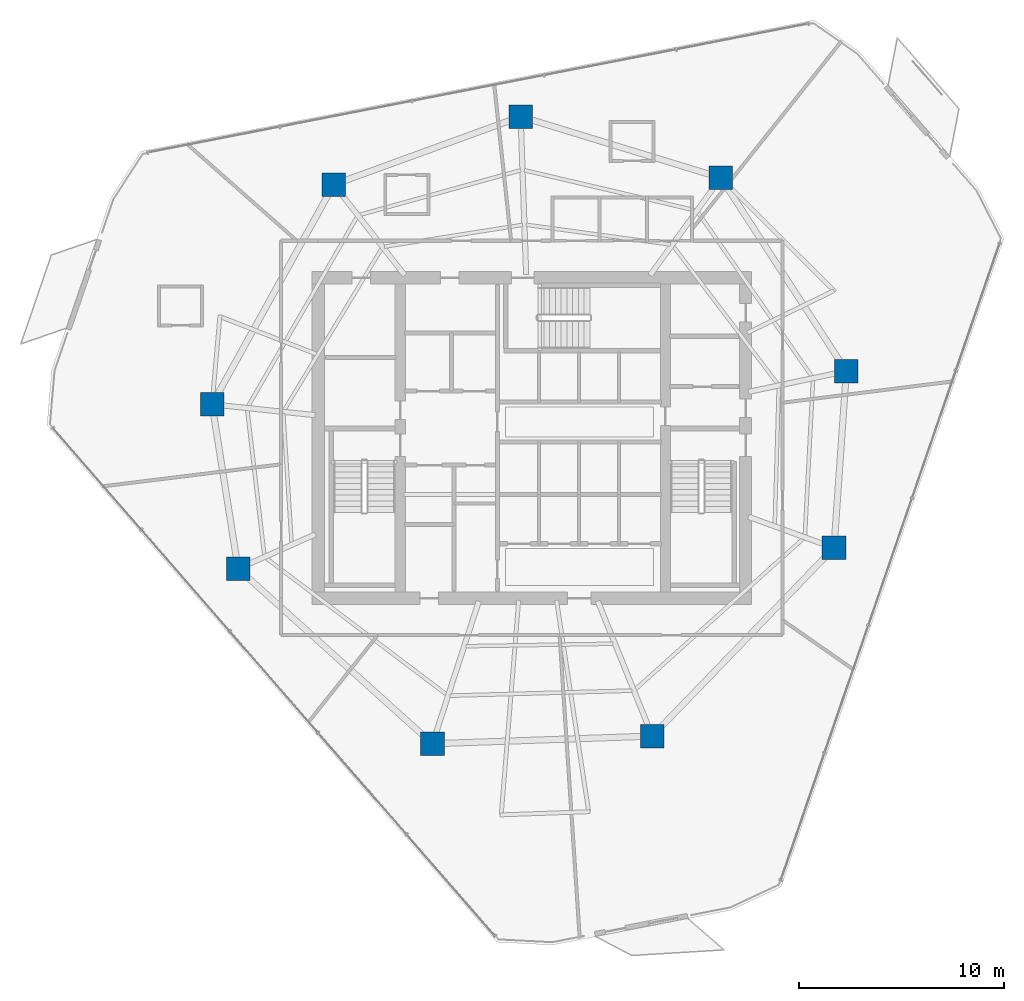
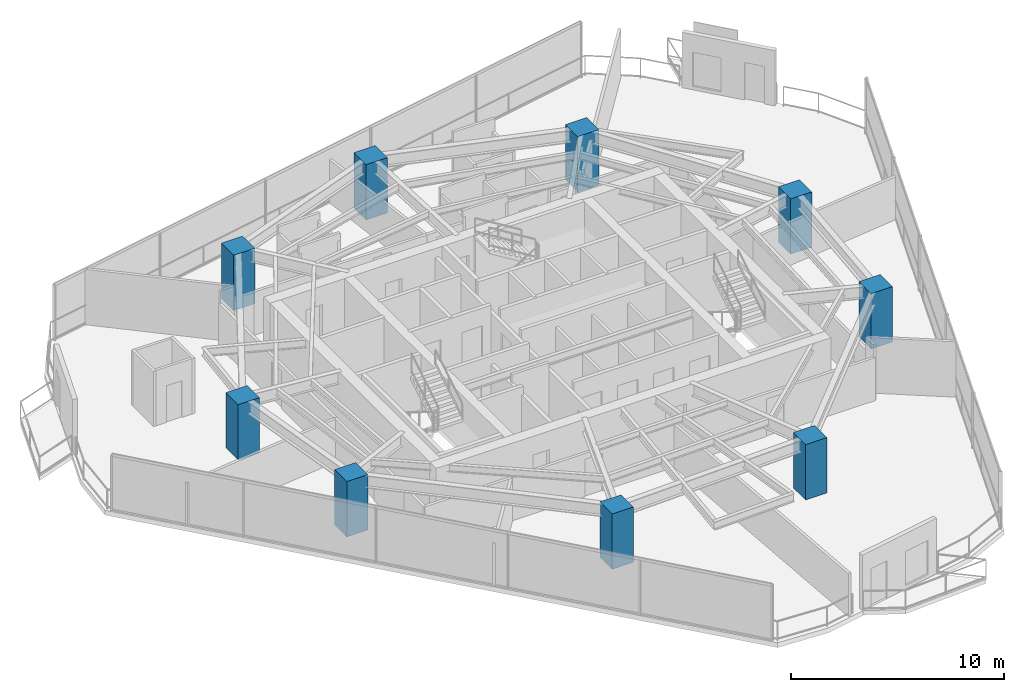
# One storey, part 1 of 27: 9 columns.
"""IFC4 building model written with IfcOpenShell, lengths in metres."""

from ifc_helpers import new_model, si_unit, direction, frame, origin, origin_2d, place, context, subcontext, project, spatial, rectangle, extrude, material, material_profile, profile_set, type_object, element, save


model = new_model("IFC4")

# Units and contexts
model_context = context("Model", 3, precision=1e-05, world=origin(), true_north=direction((0.0, 1.0)))
body_context = subcontext(model_context, "Body", "Model", "MODEL_VIEW")
ifc_project = project(units=[si_unit("LENGTHUNIT", "METRE"), si_unit("AREAUNIT", "SQUARE_METRE"), si_unit("VOLUMEUNIT", "CUBIC_METRE"), si_unit("PLANEANGLEUNIT", "RADIAN"), si_unit("MASSUNIT", "GRAM", prefix="KILO")], contexts=[model_context])

# Site, building, storey
site_placement = place(None, origin())
site = spatial("IfcSite", under=ifc_project, at=site_placement, CompositionType="ELEMENT")
building_placement = place(site_placement, origin())
building = spatial("IfcBuilding", under=site, at=building_placement, Name="Qarnah Convention Tower", CompositionType="ELEMENT")
storey_placement = place(building_placement, frame((0.0, 0.0, 107.39990234375)))
storey = spatial("IfcBuildingStorey", under=building, at=storey_placement, Name="L28", CompositionType="ELEMENT", Elevation=107.39990234375)

# Columns
ifc_material = material(Name="Concrete C60/75", Category="concrete")
ifc_material_profile = material_profile(ifc_material, rectangle(XDim=1.14990234375, YDim=1.14990234375, at=origin_2d()), Name="RC-COL-1150X1150")
ifc_profile_set = profile_set([ifc_material_profile], Name="Concrete C60/75")
column_type = type_object("IfcColumnType", Name="COL-Z2-1150", PredefinedType="COLUMN", material=ifc_profile_set)
for number, where, z_axis, x_axis, name in (
    (1, (52.508056640625, 29.654052734375, 0.0), (0.0, 0.0, 1.0), (1.0, 0.0, 0.0), "L28 plumb column PC-Z2-01"),
    (2, (46.39892578125, 39.06103515625, 0.0), (0.0, 0.0, 1.0), (1.0, 0.0, 0.0), "L28 plumb column PC-Z2-02"),
    (3, (36.654052734375, 42.0400390625, 0.0), (0.0, 0.0, 1.0), (1.0, 0.0, 0.0), "L28 plumb column PC-Z2-03"),
    (4, (27.56494140625, 38.73193359375, 0.0), (0.0, 0.0, 1.0), (1.0, 0.0, 0.0), "L28 plumb column PC-Z2-04"),
    (5, (21.635986328125, 28.035888671875, 0.0), (0.0, 0.0, 1.0), (1.0, 0.0, 0.0), "L28 plumb column PC-Z2-05"),
    (6, (22.903076171875, 20.034912109375, 0.0), (0.0, 0.0, 1.0), (1.0, 0.0, 0.0), "L28 plumb column PC-Z2-06"),
    (7, (32.364013671875, 11.51611328125, 0.0), (0.0, 0.0, 1.0), (1.0, 0.0, 0.0), "L28 plumb column PC-Z2-07"),
    (8, (43.06298828125, 11.889892578125, 0.0), (0.0, 0.0, 1.0), (1.0, 0.0, 0.0), "L28 plumb column PC-Z2-08"),
    (9, (51.906005859375, 21.047119140625, 0.0), (0.0, 0.0, 1.0), (1.0, 0.0, 0.0), "L28 plumb column PC-Z2-09"),
):
    element("IfcColumn", number, at=place(storey_placement, frame(where, z_axis=z_axis, x_axis=x_axis)), inside=storey, type_object=column_type, Name=name, PredefinedType="COLUMN", context=body_context, shape_type="SweptSolid", body=[
        extrude(rectangle(XDim=1.14990234375, YDim=1.14990234375, at=origin_2d()), origin(), (0.0, 0.0, 1.0), 3.170166015625),
    ])

save(model, "model.ifc")
